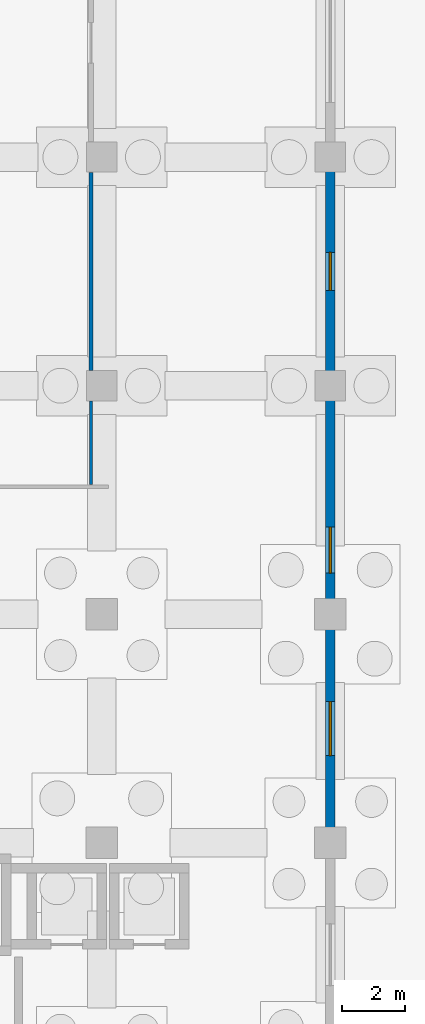
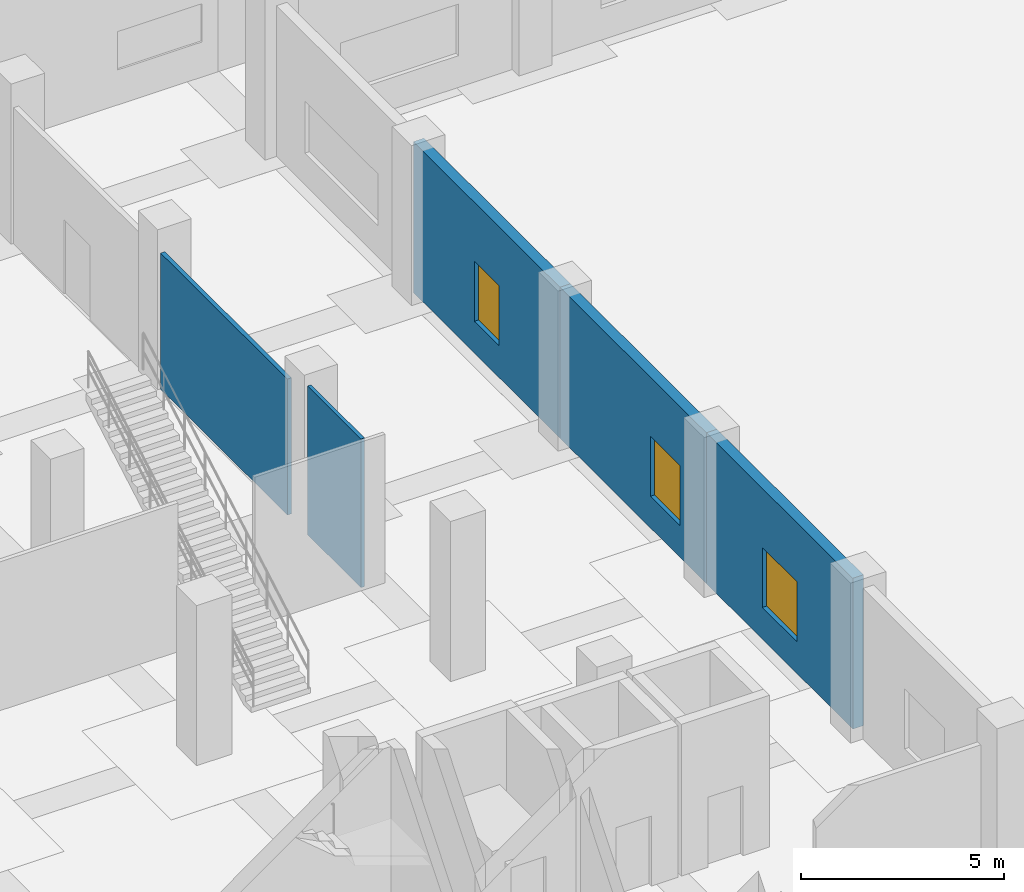
# One storey, part 26 of 48: 5 walls, 3 windows, 3 openings.
"""IFC4 building model written with IfcOpenShell, lengths in metres."""

from ifc_helpers import new_model, si_unit, direction, frame, frame_2d, origin, place, context, subcontext, project, spatial, rectangle, extrude, material, layer, layer_set, type_object, element, fill, save


model = new_model("IFC4")

# Units and contexts
model_context = context("Model", 3, precision=1e-05, world=origin(), true_north=direction((0.0, 1.0)))
body_context = subcontext(model_context, "Body", "Model", "MODEL_VIEW")
ifc_project = project(units=[si_unit("LENGTHUNIT", "METRE"), si_unit("AREAUNIT", "SQUARE_METRE"), si_unit("VOLUMEUNIT", "CUBIC_METRE"), si_unit("PLANEANGLEUNIT", "RADIAN"), si_unit("MASSUNIT", "GRAM", prefix="KILO")], contexts=[model_context])

# Site, building, storey
site_placement = place(None, origin())
site = spatial("IfcSite", under=ifc_project, at=site_placement, CompositionType="ELEMENT")
building_placement = place(site_placement, origin())
building = spatial("IfcBuilding", under=site, at=building_placement, Name="Seraya Terrace Polytechnic", CompositionType="ELEMENT")
storey_placement = place(building_placement, origin())
storey = spatial("IfcBuildingStorey", under=building, at=storey_placement, Name="L00", CompositionType="ELEMENT", Elevation=0.0)

# Wall, opening, window
ifc_material_1 = material(Name="Concrete C40/50", Category="concrete")
ifc_layer_1 = layer(ifc_material_1, 0.300048828125, Name="EW-01")
ifc_layer_set_1 = layer_set([ifc_layer_1], Name="Concrete C40/50")
wall_type_1 = type_object("IfcWallType", Name="EW-01", PredefinedType="SOLIDWALL", material=ifc_layer_set_1)
wall_1_placement = place(storey_placement, frame((108.0, 64.800048828125, 0.0), z_axis=(0.0, 0.0, 1.0), x_axis=(0.0, -1.0, 0.0)))
wall_1 = element("IfcWall", 1, at=wall_1_placement, inside=storey, type_object=wall_type_1, Name="Exterior structural wall EW-01 L00", PredefinedType="SOLIDWALL", context=body_context, shape_type="SweptSolid", body=[
    extrude(rectangle(XDim=7.199951171875, YDim=0.300048828125, at=frame_2d((3.60009765625, 0.0))), origin(), (0.0, 0.0, 1.0), 4.52001953125),
])
opening_1_placement = place(wall_1_placement, frame((3.0, 0.0, 0.949951171875)))
opening_1 = element("IfcOpeningElement", 2, at=opening_1_placement, cuts=wall_1, Name="Opening WN-27", PredefinedType="OPENING", context=body_context, shape_type="SweptSolid", body=[
    extrude(rectangle(XDim=1.199951171875, YDim=1.800048828125, at=frame_2d((0.60009765625, 0.89990234375))), frame((0.0, 0.162109375, 0.0), z_axis=(0.0, -1.0, 0.0), x_axis=(1.0, 0.0, 0.0)), (0.0, 0.0, 1.0), 0.323974609375),
])
ifc_material_2 = material(Name="Laminated solar-control Low-E double glazing", Category="glass")
window_type_1 = type_object("IfcWindowType", Name="WN-27", PartitioningType="SINGLE_PANEL", PredefinedType="WINDOW", material=ifc_material_2)
window_1_placement = place(opening_1_placement, origin())
window_1 = element("IfcWindow", 3, at=window_1_placement, inside=storey, type_object=window_type_1, Name="Exterior window WN-27 L00", OverallHeight=1.800048828125, OverallWidth=1.199951171875, PartitioningType="SINGLE_PANEL", PredefinedType="WINDOW", context=body_context, shape_type="SweptSolid", body=[
    extrude(rectangle(XDim=1.199951171875, YDim=1.800048828125, at=frame_2d((0.60009765625, 0.89990234375))), frame((0.0, 0.030029296875, 0.0), z_axis=(0.0, -1.0, 0.0), x_axis=(1.0, 0.0, 0.0)), (0.0, 0.0, 1.0), 0.06005859375),
])
fill(opening_1, window_1)

wall_2_placement = place(storey_placement, frame((108.0, 57.60009765625, 0.0), z_axis=(0.0, 0.0, 1.0), x_axis=(0.0, -1.0, 0.0)))
wall_2 = element("IfcWall", 4, at=wall_2_placement, inside=storey, type_object=wall_type_1, Name="Exterior structural wall EW-01 L00", PredefinedType="SOLIDWALL", context=body_context, shape_type="SweptSolid", body=[
    extrude(rectangle(XDim=7.2001953125, YDim=0.300048828125, at=frame_2d((3.60009765625, 0.0))), origin(), (0.0, 0.0, 1.0), 4.52001953125),
])
opening_2_placement = place(wall_2_placement, frame((4.455078125, 0.0, 0.949951171875)))
opening_2 = element("IfcOpeningElement", 5, at=opening_2_placement, cuts=wall_2, Name="Opening WN-28", PredefinedType="OPENING", context=body_context, shape_type="SweptSolid", body=[
    extrude(rectangle(XDim=1.449951171875, YDim=1.800048828125, at=frame_2d((0.72509765625, 0.89990234375))), frame((0.0, 0.162109375, 0.0), z_axis=(0.0, -1.0, 0.0), x_axis=(1.0, 0.0, 0.0)), (0.0, 0.0, 1.0), 0.323974609375),
])
window_type_2 = type_object("IfcWindowType", Name="WN-28", PartitioningType="SINGLE_PANEL", PredefinedType="WINDOW", material=ifc_material_2)
window_2_placement = place(opening_2_placement, origin())
window_2 = element("IfcWindow", 6, at=window_2_placement, inside=storey, type_object=window_type_2, Name="Exterior window WN-28 L00", OverallHeight=1.800048828125, OverallWidth=1.449951171875, PartitioningType="SINGLE_PANEL", PredefinedType="WINDOW", context=body_context, shape_type="SweptSolid", body=[
    extrude(rectangle(XDim=1.449951171875, YDim=1.800048828125, at=frame_2d((0.72509765625, 0.89990234375))), frame((0.0, 0.030029296875, 0.0), z_axis=(0.0, -1.0, 0.0), x_axis=(1.0, 0.0, 0.0)), (0.0, 0.0, 1.0), 0.06005859375),
])
fill(opening_2, window_2)

wall_3_placement = place(storey_placement, frame((108.0, 50.39990234375, 0.0), z_axis=(0.0, 0.0, 1.0), x_axis=(0.0, -1.0, 0.0)))
wall_3 = element("IfcWall", 7, at=wall_3_placement, inside=storey, type_object=wall_type_1, Name="Exterior structural wall EW-01 L00", PredefinedType="SOLIDWALL", context=body_context, shape_type="SweptSolid", body=[
    extrude(rectangle(XDim=7.199951171875, YDim=0.300048828125, at=frame_2d((3.60009765625, 0.0))), origin(), (0.0, 0.0, 1.0), 4.52001953125),
])
opening_3_placement = place(wall_3_placement, frame((2.75, 0.0, 0.949951171875)))
opening_3 = element("IfcOpeningElement", 8, at=opening_3_placement, cuts=wall_3, Name="Opening WN-29", PredefinedType="OPENING", context=body_context, shape_type="SweptSolid", body=[
    extrude(rectangle(XDim=1.699951171875, YDim=1.800048828125, at=frame_2d((0.85009765625, 0.89990234375))), frame((0.0, 0.162109375, 0.0), z_axis=(0.0, -1.0, 0.0), x_axis=(1.0, 0.0, 0.0)), (0.0, 0.0, 1.0), 0.323974609375),
])
window_type_3 = type_object("IfcWindowType", Name="WN-29", PartitioningType="SINGLE_PANEL", PredefinedType="WINDOW", material=ifc_material_2)
window_3_placement = place(opening_3_placement, origin())
window_3 = element("IfcWindow", 9, at=window_3_placement, inside=storey, type_object=window_type_3, Name="Exterior window WN-29 L00", OverallHeight=1.800048828125, OverallWidth=1.699951171875, PartitioningType="SINGLE_PANEL", PredefinedType="WINDOW", context=body_context, shape_type="SweptSolid", body=[
    extrude(rectangle(XDim=1.699951171875, YDim=1.800048828125, at=frame_2d((0.85009765625, 0.89990234375))), frame((0.0, 0.030029296875, 0.0), z_axis=(0.0, -1.0, 0.0), x_axis=(1.0, 0.0, 0.0)), (0.0, 0.0, 1.0), 0.06005859375),
])
fill(opening_3, window_3)

# Walls
ifc_material_3 = material(Name="Autoclaved aerated concrete blockwork", Category="masonry")
ifc_layer_2 = layer(ifc_material_3, 0.1201171875, Name="PT-05")
ifc_layer_set_2 = layer_set([ifc_layer_2], Name="Autoclaved aerated concrete blockwork")
wall_type_2 = type_object("IfcWallType", Name="PT-05", PredefinedType="PARTITIONING", material=ifc_layer_set_2)
wall_4_placement = place(storey_placement, frame((100.459716796875, 58.0849609375, 0.0), z_axis=(0.0, 0.0, 1.0), x_axis=(0.0, 1.0, 0.0)))
element("IfcWall", 10, at=wall_4_placement, inside=storey, type_object=wall_type_2, Name="Internal partition PT-05 L00", PredefinedType="PARTITIONING", context=body_context, shape_type="SweptSolid", body=[
    extrude(rectangle(XDim=6.22998046875, YDim=0.1201171875, at=frame_2d((3.114990234375, 0.0))), origin(), (0.0, 0.0, 1.0), 4.080078125),
])
ifc_layer_3 = layer(ifc_material_3, 0.10009765625, Name="PT-06")
ifc_layer_set_3 = layer_set([ifc_layer_3], Name="Autoclaved aerated concrete blockwork")
wall_type_3 = type_object("IfcWallType", Name="PT-06", PredefinedType="PARTITIONING", material=ifc_layer_set_3)
wall_5_placement = place(storey_placement, frame((100.459716796875, 54.485107421875, 0.0), z_axis=(0.0, 0.0, 1.0), x_axis=(0.0, 1.0, 0.0)))
element("IfcWall", 11, at=wall_5_placement, inside=storey, type_object=wall_type_3, Name="Internal partition PT-06 L00", PredefinedType="PARTITIONING", context=body_context, shape_type="SweptSolid", body=[
    extrude(rectangle(XDim=2.6298828125, YDim=0.10009765625, at=frame_2d((1.31494140625, 0.0))), origin(), (0.0, 0.0, 1.0), 4.4599609375),
])

save(model, "model.ifc")
